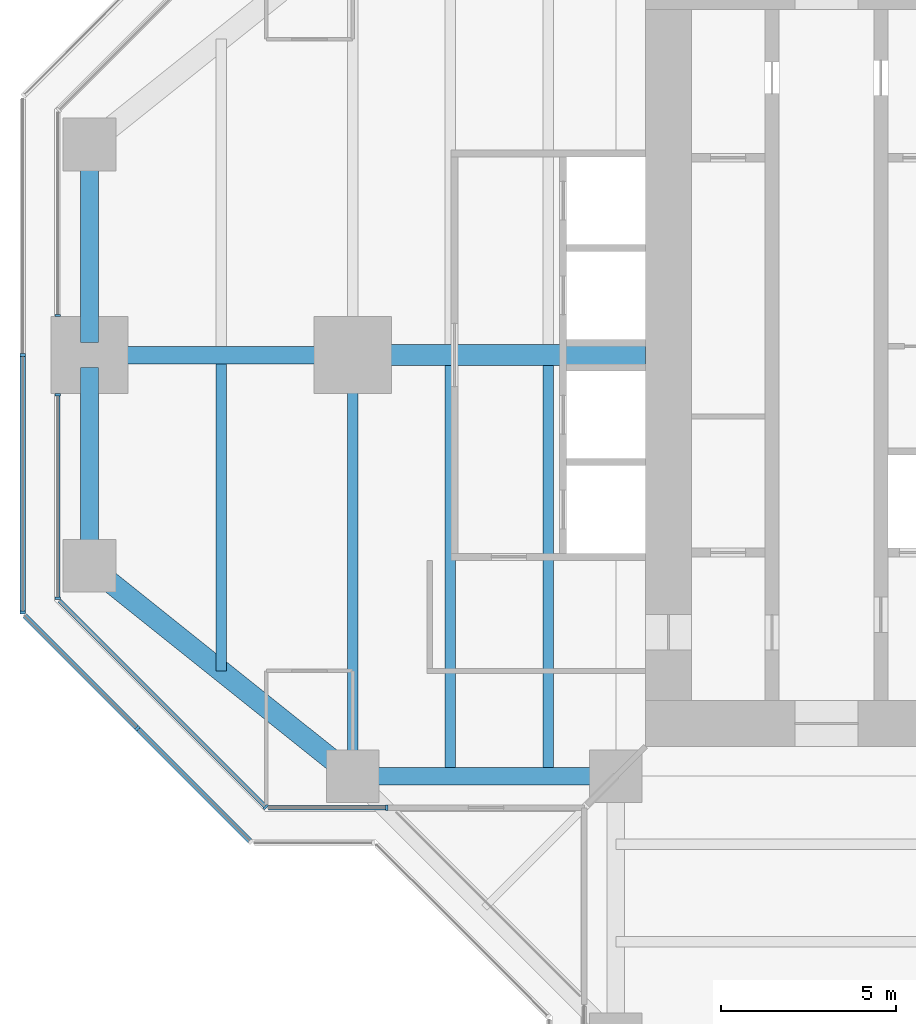
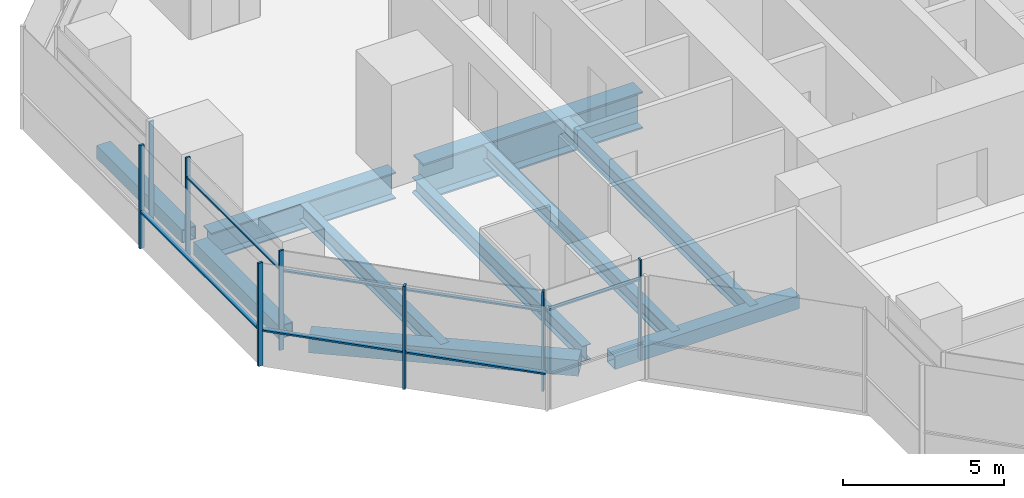
# One storey, part 3 of 17: 14 members, 10 beams, 6 elements without a shape of their own.
"""IFC4 building model written with IfcOpenShell, lengths in metres."""

from ifc_helpers import new_model, si_unit, direction, frame, origin, origin_2d, place, context, subcontext, project, spatial, rectangle, hollow_rectangle, i_section, extrude, material, material_profile, profile_set, type_object, element, aggregate, save


model = new_model("IFC4")

# Units and contexts
model_context = context("Model", 3, precision=1e-05, world=origin(), true_north=direction((0.0, 1.0)))
body_context = subcontext(model_context, "Body", "Model", "MODEL_VIEW")
ifc_project = project(units=[si_unit("LENGTHUNIT", "METRE"), si_unit("AREAUNIT", "SQUARE_METRE"), si_unit("VOLUMEUNIT", "CUBIC_METRE"), si_unit("PLANEANGLEUNIT", "RADIAN"), si_unit("MASSUNIT", "GRAM", prefix="KILO")], contexts=[model_context])

# Site, building, storey
site_placement = place(None, origin())
site = spatial("IfcSite", under=ifc_project, at=site_placement, CompositionType="ELEMENT")
building_placement = place(site_placement, origin())
building = spatial("IfcBuilding", under=site, at=building_placement, Name="Mizan Broadcast Tower", CompositionType="ELEMENT")
storey_placement = place(building_placement, frame((0.0, 0.0, 263.39990234375)))
storey = spatial("IfcBuildingStorey", under=building, at=storey_placement, Name="L62", CompositionType="ELEMENT", Elevation=263.39990234375)

# Beams
ifc_material_1 = material(Name="Steel S355", Category="steel")
ifc_material_profile_1 = material_profile(ifc_material_1, hollow_rectangle(XDim=0.5, YDim=0.5, WallThickness=0.030029296875, at=origin_2d()), Name="BOX 500x500x30")
ifc_profile_set_1 = profile_set([ifc_material_profile_1], Name="Steel S355")
beam_type_1 = type_object("IfcBeamType", Name="EDGE BEAM BOX 500x500x30", PredefinedType="SPANDREL", material=ifc_profile_set_1)
beam_1_placement = place(storey_placement, frame((-27.0, 5.639892578125, -0.3798828125), z_axis=(0.0, -1.0, 0.0), x_axis=(1.0, 0.0, 0.0)))
element("IfcBeam", 1, at=beam_1_placement, inside=storey, type_object=beam_type_1, Name="Edge beam BOX 500x500x30 L62 west arm", PredefinedType="SPANDREL", context=body_context, shape_type="SweptSolid", body=[
    extrude(hollow_rectangle(XDim=0.5, YDim=0.5, WallThickness=0.030029296875, at=origin_2d()), origin(), (0.0, 0.0, 1.0), 5.27978515625),
])
beam_2_placement = place(storey_placement, frame((-12.449951171875, -12.0, -0.3798828125), z_axis=(-1.0, 0.0, 0.0), x_axis=(0.0, -1.0, 0.0)))
element("IfcBeam", 2, at=beam_2_placement, inside=storey, type_object=beam_type_1, Name="Edge beam BOX 500x500x30 L62 west arm", PredefinedType="SPANDREL", context=body_context, shape_type="SweptSolid", body=[
    extrude(hollow_rectangle(XDim=0.5, YDim=0.5, WallThickness=0.030029296875, at=origin_2d()), origin(), (0.0, 0.0, 1.0), 6.60009765625),
])
beam_3_placement = place(storey_placement, frame((-27.0, -5.639892578125, -0.3798828125), z_axis=(0.0, 1.0, 0.0), x_axis=(-1.0, 0.0, 0.0)))
element("IfcBeam", 3, at=beam_3_placement, inside=storey, type_object=beam_type_1, Name="Edge beam BOX 500x500x30 L62 west arm", PredefinedType="SPANDREL", context=body_context, shape_type="SweptSolid", body=[
    extrude(hollow_rectangle(XDim=0.5, YDim=0.5, WallThickness=0.030029296875, at=origin_2d()), origin(), (0.0, 0.0, 1.0), 5.27978515625),
])
ifc_material_2 = material(Name="Steel S355", Category="steel")
ifc_material_profile_2 = material_profile(ifc_material_2, hollow_rectangle(XDim=0.60009765625, YDim=0.60009765625, WallThickness=0.030029296875, at=origin_2d()), Name="BOX 600x600x30")
ifc_profile_set_2 = profile_set([ifc_material_profile_2], Name="Steel S355")
beam_type_2 = type_object("IfcBeamType", Name="EDGE BEAM BOX 600x600x30", PredefinedType="SPANDREL", material=ifc_profile_set_2)
beam_4_placement = place(storey_placement, frame((-19.949951171875, -11.639892578125, -0.429931640625), z_axis=(-0.780885717636, 0.624673911726, 0.0), x_axis=(-0.624673911726, -0.780885717636, 0.0)))
element("IfcBeam", 4, at=beam_4_placement, inside=storey, type_object=beam_type_2, Name="Edge beam BOX 600x600x30 L62 west arm", PredefinedType="SPANDREL", context=body_context, shape_type="SweptSolid", body=[
    extrude(hollow_rectangle(XDim=0.60009765625, YDim=0.60009765625, WallThickness=0.030029296875, at=origin_2d()), origin(), (0.0, 0.0, 1.0), 8.4521484375),
])
ifc_material_3 = material(Name="Steel S355", Category="steel")
ifc_material_profile_3 = material_profile(ifc_material_3, i_section(OverallWidth=0.300048828125, OverallDepth=0.590087890625, WebThickness=0.012939453125, FlangeThickness=0.02490234375, FilletRadius=0.027099609375, at=origin_2d()), Name="HEA 600")
ifc_profile_set_3 = profile_set([ifc_material_profile_3], Name="Steel S355")
beam_type_3 = type_object("IfcBeamType", Name="GIRDER HEA 600", PredefinedType="BEAM", material=ifc_profile_set_3)
beam_5_placement = place(storey_placement, frame((-19.5, -11.280029296875, -0.4248046875), z_axis=(0.0, 1.0, 0.0), x_axis=(-1.0, 0.0, 0.0)))
element("IfcBeam", 5, at=beam_5_placement, inside=storey, type_object=beam_type_3, Name="Girder HEA 600 L62 west arm", PredefinedType="BEAM", context=body_context, shape_type="SweptSolid", body=[
    extrude(i_section(OverallWidth=0.300048828125, OverallDepth=0.590087890625, WebThickness=0.012939453125, FlangeThickness=0.02490234375, FilletRadius=0.027099609375, at=origin_2d()), origin(), (0.0, 0.0, 1.0), 10.56005859375),
])
ifc_material_4 = material(Name="Steel S460", Category="steel")
ifc_material_profile_4 = material_profile(ifc_material_4, i_section(OverallWidth=0.5, OverallDepth=1.0, WebThickness=0.02490234375, FlangeThickness=0.050048828125, at=origin_2d()), Name="WPG 1000x500")
ifc_profile_set_4 = profile_set([ifc_material_profile_4], Name="Steel S460")
beam_type_4 = type_object("IfcBeamType", Name="GIRDER WPG 1000x500", PredefinedType="BEAM", material=ifc_profile_set_4)
beam_6_placement = place(storey_placement, frame((-19.949951171875, 0.0, -0.6298828125), z_axis=(-1.0, 0.0, 0.0), x_axis=(0.0, -1.0, 0.0)))
element("IfcBeam", 6, at=beam_6_placement, inside=storey, type_object=beam_type_4, Name="Girder WPG 1000x500 L62 west arm", PredefinedType="BEAM", context=body_context, shape_type="SweptSolid", body=[
    extrude(i_section(OverallWidth=0.5, OverallDepth=1.0, WebThickness=0.02490234375, FlangeThickness=0.050048828125, at=origin_2d()), origin(), (0.0, 0.0, 1.0), 6.60009765625),
])
ifc_material_5 = material(Name="Steel S460", Category="steel")
ifc_material_profile_5 = material_profile(ifc_material_5, i_section(OverallWidth=0.60009765625, OverallDepth=1.39990234375, WebThickness=0.02490234375, FlangeThickness=0.06005859375, at=origin_2d()), Name="WPG 1400x600")
ifc_profile_set_5 = profile_set([ifc_material_profile_5], Name="Steel S460")
beam_type_5 = type_object("IfcBeamType", Name="GIRDER WPG 1400x600", PredefinedType="BEAM", material=ifc_profile_set_5)
beam_7_placement = place(storey_placement, frame((-11.14990234375, 0.0, -0.829833984375), z_axis=(-1.0, 0.0, 0.0), x_axis=(0.0, -1.0, 0.0)))
element("IfcBeam", 7, at=beam_7_placement, inside=storey, type_object=beam_type_5, Name="Girder WPG 1400x600 L62 west arm", PredefinedType="BEAM", context=body_context, shape_type="SweptSolid", body=[
    extrude(i_section(OverallWidth=0.60009765625, OverallDepth=1.39990234375, WebThickness=0.02490234375, FlangeThickness=0.06005859375, at=origin_2d()), origin(), (0.0, 0.0, 1.0), 7.84912109375),
])

# Curtain wall, member
ifc_material_6 = material(Name="Aluminium framed glazing", Category="aluminium")
curtain_wall_type_1 = type_object("IfcCurtainWallType", Name="INNER SKIN HIGH ZONE", PredefinedType="USERDEFINED", material=ifc_material_6)
curtain_wall_1_placement = place(storey_placement, origin())
curtain_wall_1 = element("IfcCurtainWall", 8, at=curtain_wall_1_placement, inside=storey, type_object=curtain_wall_type_1, Name="Inner skin high zone L62 W end", ObjectType="INNER SKIN HIGH ZONE", PredefinedType="USERDEFINED")
ifc_material_7 = material(Name="Aluminium, pale anodised", Category="aluminium")
ifc_material_profile_6 = material_profile(ifc_material_7, rectangle(XDim=0.159912109375, YDim=0.06005859375, at=origin_2d()), Name="MULLION 160x60")
ifc_profile_set_6 = profile_set([ifc_material_profile_6], Name="Aluminium, pale anodised")
member_type_1 = type_object("IfcMemberType", Name="INNER SKIN MULLION 60x160", PredefinedType="MULLION", material=ifc_profile_set_6)
member_1_placement = place(storey_placement, frame((-27.89990234375, 1.1298828125, 0.0), z_axis=(0.0, 0.0, 1.0), x_axis=(1.0, 0.0, 0.0)))
member_1 = element("IfcMember", 9, at=member_1_placement, type_object=member_type_1, Name="Inner skin high zone L62 W end mullion 2", PredefinedType="MULLION", context=body_context, shape_type="SweptSolid", body=[
    extrude(rectangle(XDim=0.159912109375, YDim=0.06005859375, at=origin_2d()), origin(), (0.0, 0.0, 1.0), 3.77001953125),
])
aggregate(curtain_wall_1, [member_1])

# Curtain wall, members
curtain_wall_2_placement = place(storey_placement, origin())
curtain_wall_2 = element("IfcCurtainWall", 10, at=curtain_wall_2_placement, inside=storey, type_object=curtain_wall_type_1, Name="Inner skin high zone L62 W end", ObjectType="INNER SKIN HIGH ZONE", PredefinedType="USERDEFINED")
member_2_placement = place(storey_placement, frame((-27.89990234375, -1.1298828125, 0.0), z_axis=(0.0, 0.0, 1.0), x_axis=(1.0, 0.0, 0.0)))
member_2 = element("IfcMember", 11, at=member_2_placement, type_object=member_type_1, Name="Inner skin high zone L62 W end mullion 1", PredefinedType="MULLION", context=body_context, shape_type="SweptSolid", body=[
    extrude(rectangle(XDim=0.159912109375, YDim=0.06005859375, at=origin_2d()), origin(), (0.0, 0.0, 1.0), 3.77001953125),
])
member_3_placement = place(storey_placement, frame((-27.89990234375, -6.928466796875, 0.0), z_axis=(0.0, 0.0, 1.0), x_axis=(1.0, 0.0, 0.0)))
member_3 = element("IfcMember", 12, at=member_3_placement, type_object=member_type_1, Name="Inner skin high zone L62 W end mullion 2", PredefinedType="MULLION", context=body_context, shape_type="SweptSolid", body=[
    extrude(rectangle(XDim=0.159912109375, YDim=0.06005859375, at=origin_2d()), origin(), (0.0, 0.0, 1.0), 3.77001953125),
])

# Curtain wall, member
curtain_wall_3_placement = place(storey_placement, origin())
curtain_wall_3 = element("IfcCurtainWall", 13, at=curtain_wall_3_placement, inside=storey, type_object=curtain_wall_type_1, Name="Inner skin high zone L62 W chamfer", ObjectType="INNER SKIN HIGH ZONE", PredefinedType="USERDEFINED")
member_4_placement = place(storey_placement, frame((-21.979736328125, -12.87890625, 0.0), z_axis=(0.0, 0.0, 1.0), x_axis=(0.707106781187, 0.707106781187, 0.0)))
member_4 = element("IfcMember", 14, at=member_4_placement, type_object=member_type_1, Name="Inner skin high zone L62 W chamfer mullion 2", PredefinedType="MULLION", context=body_context, shape_type="SweptSolid", body=[
    extrude(rectangle(XDim=0.159912109375, YDim=0.06005859375, at=origin_2d()), origin(), (0.0, 0.0, 1.0), 3.77001953125),
])

curtain_wall_4_placement = place(storey_placement, origin())
curtain_wall_4 = element("IfcCurtainWall", 15, at=curtain_wall_4_placement, inside=storey, type_object=curtain_wall_type_1, Name="Inner skin high zone L62 W side", ObjectType="INNER SKIN HIGH ZONE", PredefinedType="USERDEFINED")
member_5_placement = place(storey_placement, frame((-18.530029296875, -12.89990234375, 0.0), z_axis=(0.0, 0.0, 1.0), x_axis=(0.0, 1.0, 0.0)))
member_5 = element("IfcMember", 16, at=member_5_placement, type_object=member_type_1, Name="Inner skin high zone L62 W side mullion 2", PredefinedType="MULLION", context=body_context, shape_type="SweptSolid", body=[
    extrude(rectangle(XDim=0.159912109375, YDim=0.06005859375, at=origin_2d()), origin(), (0.0, 0.0, 1.0), 3.77001953125),
])

# Member
ifc_material_8 = material(Name="Aluminium, pale anodised", Category="aluminium")
ifc_material_profile_7 = material_profile(ifc_material_8, rectangle(XDim=0.1201171875, YDim=0.06005859375, at=origin_2d()), Name="TRANSOM 120x60")
ifc_profile_set_7 = profile_set([ifc_material_profile_7], Name="Aluminium, pale anodised")
member_type_2 = type_object("IfcMemberType", Name="INNER SKIN TRANSOM 60x120", PredefinedType="USERDEFINED", material=ifc_profile_set_7)
member_6_placement = place(storey_placement, frame((-27.89990234375, -1.159912109375, 3.030029296875), z_axis=(0.0, -1.0, 0.0), x_axis=(1.0, 0.0, 0.0)))
member_6 = element("IfcMember", 17, at=member_6_placement, type_object=member_type_2, Name="Inner skin high zone L62 W end transom 1.1", ObjectType="TRANSOM", PredefinedType="USERDEFINED", context=body_context, shape_type="SweptSolid", body=[
    extrude(rectangle(XDim=0.1201171875, YDim=0.06005859375, at=origin_2d()), origin(), (0.0, 0.0, 1.0), 5.73876953125),
])

aggregate(curtain_wall_2, [member_2, member_3, member_6])

member_7_placement = place(storey_placement, frame((-27.857666015625, -7.0009765625, 3.030029296875), z_axis=(0.707106781187, -0.707106781187, 0.0), x_axis=(0.707106781187, 0.707106781187, 0.0)))
member_7 = element("IfcMember", 18, at=member_7_placement, type_object=member_type_2, Name="Inner skin high zone L62 W chamfer transom 1.1", ObjectType="TRANSOM", PredefinedType="USERDEFINED", context=body_context, shape_type="SweptSolid", body=[
    extrude(rectangle(XDim=0.1201171875, YDim=0.06005859375, at=origin_2d()), origin(), (0.0, 0.0, 1.0), 8.28271484375),
])

aggregate(curtain_wall_3, [member_4, member_7])

member_8_placement = place(storey_placement, frame((-21.898681640625, -12.89990234375, 3.030029296875), z_axis=(1.0, 0.0, 0.0), x_axis=(0.0, 1.0, 0.0)))
member_8 = element("IfcMember", 19, at=member_8_placement, type_object=member_type_2, Name="Inner skin high zone L62 W side transom 1.1", ObjectType="TRANSOM", PredefinedType="USERDEFINED", context=body_context, shape_type="SweptSolid", body=[
    extrude(rectangle(XDim=0.1201171875, YDim=0.06005859375, at=origin_2d()), origin(), (0.0, 0.0, 1.0), 3.338623046875),
])

aggregate(curtain_wall_4, [member_5, member_8])

# Curtain wall, members
ifc_material_9 = material(Name="Aluminium framed glazing", Category="aluminium")
curtain_wall_type_2 = type_object("IfcCurtainWallType", Name="OUTER SKIN", PredefinedType="USERDEFINED", material=ifc_material_9)
curtain_wall_5_placement = place(storey_placement, origin())
curtain_wall_5 = element("IfcCurtainWall", 20, at=curtain_wall_5_placement, inside=storey, type_object=curtain_wall_type_2, Name="Outer skin L62 W end", ObjectType="OUTER SKIN", PredefinedType="USERDEFINED")
ifc_material_10 = material(Name="Aluminium, pale anodised", Category="aluminium")
ifc_material_profile_8 = material_profile(ifc_material_10, rectangle(XDim=0.159912109375, YDim=0.080078125, at=origin_2d()), Name="MULLION 160x80")
ifc_profile_set_8 = profile_set([ifc_material_profile_8], Name="Aluminium, pale anodised")
member_type_3 = type_object("IfcMemberType", Name="OUTER SKIN MULLION 80x160", PredefinedType="MULLION", material=ifc_profile_set_8)
member_9_placement = place(storey_placement, frame((-28.89990234375, 0.0, 0.0), z_axis=(0.0, 0.0, 1.0), x_axis=(1.0, 0.0, 0.0)))
member_9 = element("IfcMember", 21, at=member_9_placement, type_object=member_type_3, Name="Outer skin L62 W end mullion 2", PredefinedType="MULLION", context=body_context, shape_type="SweptSolid", body=[
    extrude(rectangle(XDim=0.159912109375, YDim=0.080078125, at=origin_2d()), origin(), (0.0, 0.0, 1.0), 3.900146484375),
])
member_10_placement = place(storey_placement, frame((-28.89990234375, -7.332763671875, 0.0), z_axis=(0.0, 0.0, 1.0), x_axis=(1.0, 0.0, 0.0)))
member_10 = element("IfcMember", 22, at=member_10_placement, type_object=member_type_3, Name="Outer skin L62 W end mullion 3", PredefinedType="MULLION", context=body_context, shape_type="SweptSolid", body=[
    extrude(rectangle(XDim=0.159912109375, YDim=0.080078125, at=origin_2d()), origin(), (0.0, 0.0, 1.0), 3.900146484375),
])

# Curtain wall, member
curtain_wall_6_placement = place(storey_placement, origin())
curtain_wall_6 = element("IfcCurtainWall", 23, at=curtain_wall_6_placement, inside=storey, type_object=curtain_wall_type_2, Name="Outer skin L62 W chamfer", ObjectType="OUTER SKIN", PredefinedType="USERDEFINED")
member_11_placement = place(storey_placement, frame((-25.636474609375, -10.636474609375, 0.0), z_axis=(0.0, 0.0, 1.0), x_axis=(0.707106781187, 0.707106781187, 0.0)))
member_11 = element("IfcMember", 24, at=member_11_placement, type_object=member_type_3, Name="Outer skin L62 W chamfer mullion 2", PredefinedType="MULLION", context=body_context, shape_type="SweptSolid", body=[
    extrude(rectangle(XDim=0.159912109375, YDim=0.080078125, at=origin_2d()), origin(), (0.0, 0.0, 1.0), 3.900146484375),
])

# Member
ifc_material_11 = material(Name="Aluminium, pale anodised", Category="aluminium")
ifc_material_profile_9 = material_profile(ifc_material_11, rectangle(XDim=0.159912109375, YDim=0.06005859375, at=origin_2d()), Name="TRANSOM 160x60")
ifc_profile_set_9 = profile_set([ifc_material_profile_9], Name="Aluminium, pale anodised")
member_type_4 = type_object("IfcMemberType", Name="OUTER SKIN TRANSOM 60x160", PredefinedType="USERDEFINED", material=ifc_profile_set_9)
member_12_placement = place(storey_placement, frame((-28.89990234375, -0.0400390625, 1.400146484375), z_axis=(0.0, -1.0, 0.0), x_axis=(1.0, 0.0, 0.0)))
member_12 = element("IfcMember", 25, at=member_12_placement, type_object=member_type_4, Name="Outer skin L62 W end transom 2.1", ObjectType="TRANSOM", PredefinedType="USERDEFINED", context=body_context, shape_type="SweptSolid", body=[
    extrude(rectangle(XDim=0.159912109375, YDim=0.06005859375, at=origin_2d()), origin(), (0.0, 0.0, 1.0), 7.252685546875),
])

aggregate(curtain_wall_5, [member_9, member_10, member_12])

member_13_placement = place(storey_placement, frame((-28.843505859375, -7.429443359375, 1.400146484375), z_axis=(0.707106781187, -0.707106781187, 0.0), x_axis=(0.707106781187, 0.707106781187, 0.0)))
member_13 = element("IfcMember", 26, at=member_13_placement, type_object=member_type_4, Name="Outer skin L62 W chamfer transom 1.1", ObjectType="TRANSOM", PredefinedType="USERDEFINED", context=body_context, shape_type="SweptSolid", body=[
    extrude(rectangle(XDim=0.159912109375, YDim=0.06005859375, at=origin_2d()), origin(), (0.0, 0.0, 1.0), 4.495361328125),
])

member_14_placement = place(storey_placement, frame((-25.608154296875, -10.664794921875, 1.400146484375), z_axis=(0.707106781187, -0.707106781187, 0.0), x_axis=(0.707106781187, 0.707106781187, 0.0)))
member_14 = element("IfcMember", 27, at=member_14_placement, type_object=member_type_4, Name="Outer skin L62 W chamfer transom 2.1", ObjectType="TRANSOM", PredefinedType="USERDEFINED", context=body_context, shape_type="SweptSolid", body=[
    extrude(rectangle(XDim=0.159912109375, YDim=0.06005859375, at=origin_2d()), origin(), (0.0, 0.0, 1.0), 4.495361328125),
])

aggregate(curtain_wall_6, [member_11, member_13, member_14])

# Beams
ifc_material_12 = material(Name="Steel S355", Category="steel")
ifc_material_profile_10 = material_profile(ifc_material_12, i_section(OverallWidth=0.300048828125, OverallDepth=0.590087890625, WebThickness=0.012939453125, FlangeThickness=0.02490234375, FilletRadius=0.027099609375, at=origin_2d()), Name="HEA 600")
ifc_profile_set_10 = profile_set([ifc_material_profile_10], Name="Steel S355")
beam_type_6 = type_object("IfcBeamType", Name="SECONDARY BEAM HEA 600", PredefinedType="JOIST", material=ifc_profile_set_10)
for number, where, z_axis, x_axis, name in (
    (28, (-13.933349609375, -12.0, -0.4248046875), (0.0, 1.0, 0.0), (-1.0, 0.0, 0.0), "Secondary beam HEA 600 L62 west arm"),
    (29, (-16.716552734375, -12.0, -0.4248046875), (0.0, 1.0, 0.0), (-1.0, 0.0, 0.0), "Secondary beam HEA 600 L62 west arm"),
):
    element("IfcBeam", number, at=place(storey_placement, frame(where, z_axis=z_axis, x_axis=x_axis)), inside=storey, type_object=beam_type_6, Name=name, PredefinedType="JOIST", context=body_context, shape_type="SweptSolid", body=[
        extrude(i_section(OverallWidth=0.300048828125, OverallDepth=0.590087890625, WebThickness=0.012939453125, FlangeThickness=0.02490234375, FilletRadius=0.027099609375, at=origin_2d()), origin(), (0.0, 0.0, 1.0), 11.699951171875),
    ])
beam_8_placement = place(storey_placement, frame((-23.25, -9.0, -0.4248046875), z_axis=(0.0, 1.0, 0.0), x_axis=(-1.0, 0.0, 0.0)))
element("IfcBeam", 30, at=beam_8_placement, inside=storey, type_object=beam_type_6, Name="Secondary beam HEA 600 L62 west arm", PredefinedType="JOIST", context=body_context, shape_type="SweptSolid", body=[
    extrude(i_section(OverallWidth=0.300048828125, OverallDepth=0.590087890625, WebThickness=0.012939453125, FlangeThickness=0.02490234375, FilletRadius=0.027099609375, at=origin_2d()), origin(), (0.0, 0.0, 1.0), 8.75),
])

save(model, "model.ifc")
